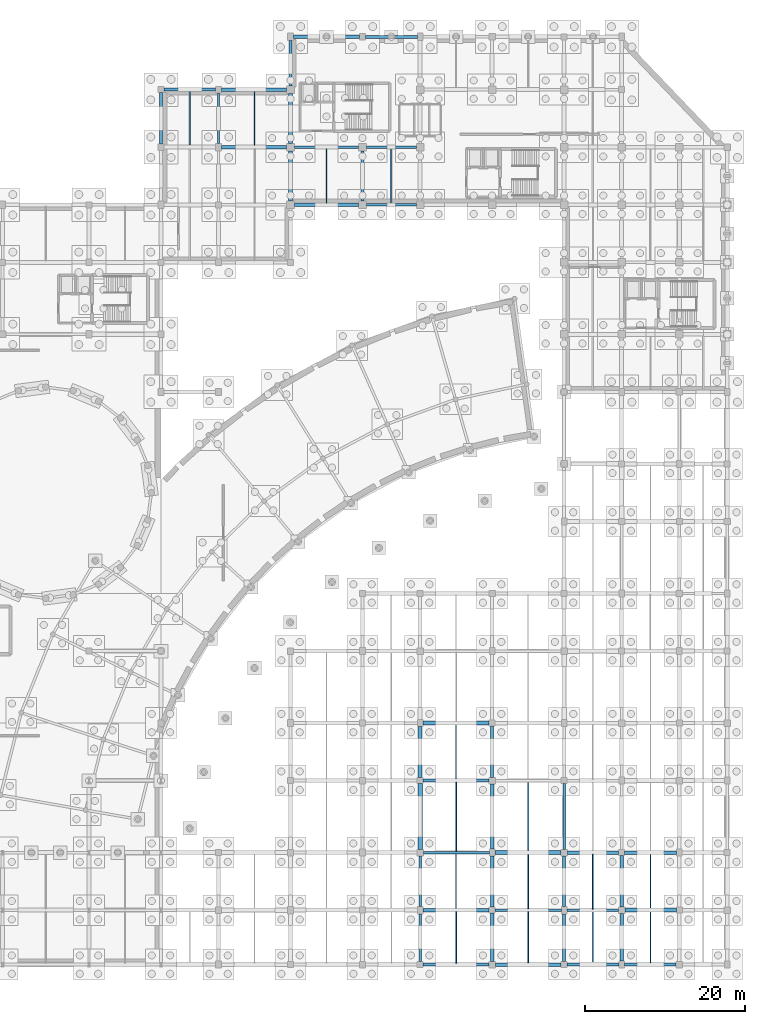
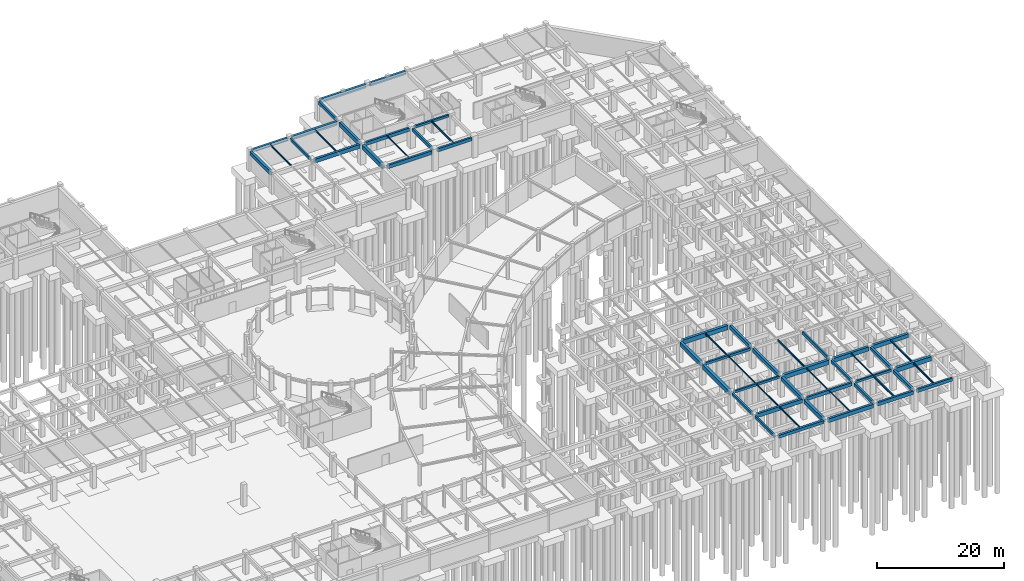
# One storey, part 24 of 42: 57 beams.
"""IFC4 building model written with IfcOpenShell, lengths in metres."""

from ifc_helpers import new_model, si_unit, direction, frame, origin, origin_2d, place, context, subcontext, project, spatial, rectangle, i_section, extrude, material, material_profile, profile_set, type_object, element, save


model = new_model("IFC4")

# Units and contexts
model_context = context("Model", 3, precision=1e-05, world=origin(), true_north=direction((0.0, 1.0)))
body_context = subcontext(model_context, "Body", "Model", "MODEL_VIEW")
ifc_project = project(units=[si_unit("LENGTHUNIT", "METRE"), si_unit("AREAUNIT", "SQUARE_METRE"), si_unit("VOLUMEUNIT", "CUBIC_METRE"), si_unit("PLANEANGLEUNIT", "RADIAN"), si_unit("MASSUNIT", "GRAM", prefix="KILO")], contexts=[model_context])

# Site, building, storey
site_placement = place(None, origin())
site = spatial("IfcSite", under=ifc_project, at=site_placement, CompositionType="ELEMENT")
building_placement = place(site_placement, origin())
building = spatial("IfcBuilding", under=site, at=building_placement, Name="Clarverna Civic Hall", CompositionType="ELEMENT")
storey_placement = place(building_placement, frame((0.0, 0.0, -4.199951171875)))
storey = spatial("IfcBuildingStorey", under=building, at=storey_placement, Name="B01", CompositionType="ELEMENT", Elevation=-4.199951171875)

# Beams
ifc_material_1 = material(Name="Concrete C35/45", Category="concrete")
ifc_material_profile_1 = material_profile(ifc_material_1, rectangle(XDim=0.5, YDim=0.85009765625, at=origin_2d()), Name="RC 500x850")
ifc_profile_set_1 = profile_set([ifc_material_profile_1], Name="Concrete C35/45")
beam_type_1 = type_object("IfcBeamType", Name="B-RC1", PredefinedType="BEAM", material=ifc_profile_set_1)
beam_1_placement = place(storey_placement, frame((155.199951171875, 6.800048828125, 3.52490234375), z_axis=(1.0, 0.0, 0.0), x_axis=(0.0, 1.0, 0.0)))
element("IfcBeam", 1, at=beam_1_placement, inside=storey, type_object=beam_type_1, Name="B-RC1-001", PredefinedType="BEAM", context=body_context, shape_type="SweptSolid", body=[
    extrude(rectangle(XDim=0.5, YDim=0.85009765625, at=origin_2d()), origin(), (0.0, 0.0, 1.0), 6.425048828125),
])
beam_2_placement = place(storey_placement, frame((138.949951171875, 14.0, 3.52490234375), z_axis=(1.0, 0.0, 0.0), x_axis=(0.0, 1.0, 0.0)))
element("IfcBeam", 2, at=beam_2_placement, inside=storey, type_object=beam_type_1, Name="B-RC1-002", PredefinedType="BEAM", context=body_context, shape_type="SweptSolid", body=[
    extrude(rectangle(XDim=0.5, YDim=0.85009765625, at=origin_2d()), origin(), (0.0, 0.0, 1.0), 8.25),
])
beam_3_placement = place(storey_placement, frame((129.949951171875, 30.199951171875, 3.52490234375), z_axis=(1.0, 0.0, 0.0), x_axis=(0.0, 1.0, 0.0)))
element("IfcBeam", 3, at=beam_3_placement, inside=storey, type_object=beam_type_1, Name="B-RC1-003", PredefinedType="BEAM", context=body_context, shape_type="SweptSolid", body=[
    extrude(rectangle(XDim=0.5, YDim=0.85009765625, at=origin_2d()), origin(), (0.0, 0.0, 1.0), 8.275146484375),
])
beam_4_placement = place(storey_placement, frame((113.39990234375, 95.47509765625, 3.4150390625), z_axis=(0.0, 1.0, 0.0), x_axis=(-1.0, 0.0, 0.0)))
element("IfcBeam", 4, at=beam_4_placement, inside=storey, type_object=beam_type_1, Name="B-RC1-010", PredefinedType="BEAM", context=body_context, shape_type="SweptSolid", body=[
    extrude(rectangle(XDim=0.5, YDim=0.85009765625, at=origin_2d()), origin(), (0.0, 0.0, 1.0), 6.25),
])
ifc_material_profile_2 = material_profile(ifc_material_1, rectangle(XDim=0.35009765625, YDim=0.5, at=origin_2d()), Name="RC 350x500")
ifc_profile_set_2 = profile_set([ifc_material_profile_2], Name="Concrete C35/45")
beam_type_2 = type_object("IfcBeamType", Name="B-RC10", PredefinedType="BEAM", material=ifc_profile_set_2)
beam_5_placement = place(storey_placement, frame((129.97509765625, 23.0, 3.699951171875), z_axis=(1.0, 0.0, 0.0), x_axis=(0.0, 1.0, 0.0)))
element("IfcBeam", 5, at=beam_5_placement, inside=storey, type_object=beam_type_2, Name="B-RC10-003", PredefinedType="BEAM", context=body_context, shape_type="SweptSolid", body=[
    extrude(rectangle(XDim=0.35009765625, YDim=0.5, at=origin_2d()), origin(), (0.0, 0.0, 1.0), 8.224853515625),
])
beam_6_placement = place(storey_placement, frame((122.39990234375, 95.47509765625, 3.58984375), z_axis=(0.0, 1.0, 0.0), x_axis=(-1.0, 0.0, 0.0)))
element("IfcBeam", 6, at=beam_6_placement, inside=storey, type_object=beam_type_2, Name="B-RC10-014", PredefinedType="BEAM", context=body_context, shape_type="SweptSolid", body=[
    extrude(rectangle(XDim=0.35009765625, YDim=0.5, at=origin_2d()), origin(), (0.0, 0.0, 1.0), 6.25),
])
beam_7_placement = place(storey_placement, frame((147.60009765625, 7.25, 3.699951171875), z_axis=(0.0, 1.0, 0.0), x_axis=(-1.0, 0.0, 0.0)))
element("IfcBeam", 7, at=beam_7_placement, inside=storey, type_object=beam_type_2, Name="B-RC10-015", PredefinedType="BEAM", context=body_context, shape_type="SweptSolid", body=[
    extrude(rectangle(XDim=0.35009765625, YDim=0.5, at=origin_2d()), origin(), (0.0, 0.0, 1.0), 6.35009765625),
])
ifc_material_profile_3 = material_profile(ifc_material_1, rectangle(XDim=0.300048828125, YDim=0.550048828125, at=origin_2d()), Name="RC 300x550")
ifc_profile_set_3 = profile_set([ifc_material_profile_3], Name="Concrete C35/45")
beam_type_3 = type_object("IfcBeamType", Name="B-RC11", PredefinedType="BEAM", material=ifc_profile_set_3)
beam_8_placement = place(storey_placement, frame((129.60009765625, 0.375, 3.675048828125), z_axis=(0.0, 1.0, 0.0), x_axis=(-1.0, 0.0, 0.0)))
element("IfcBeam", 8, at=beam_8_placement, inside=storey, type_object=beam_type_3, Name="B-RC11-014", PredefinedType="BEAM", context=body_context, shape_type="SweptSolid", body=[
    extrude(rectangle(XDim=0.300048828125, YDim=0.550048828125, at=origin_2d()), origin(), (0.0, 0.0, 1.0), 5.97509765625),
])
beam_9_placement = place(storey_placement, frame((147.60009765625, 14.39990234375, 3.675048828125), z_axis=(0.0, 1.0, 0.0), x_axis=(-1.0, 0.0, 0.0)))
element("IfcBeam", 9, at=beam_9_placement, inside=storey, type_object=beam_type_3, Name="B-RC11-015", PredefinedType="BEAM", context=body_context, shape_type="SweptSolid", body=[
    extrude(rectangle(XDim=0.300048828125, YDim=0.550048828125, at=origin_2d()), origin(), (0.0, 0.0, 1.0), 8.22509765625),
])
ifc_material_profile_4 = material_profile(ifc_material_1, rectangle(XDim=0.300048828125, YDim=0.5, at=origin_2d()), Name="RC 300x500")
ifc_profile_set_4 = profile_set([ifc_material_profile_4], Name="Concrete C35/45")
beam_type_4 = type_object("IfcBeamType", Name="B-RC12", PredefinedType="BEAM", material=ifc_profile_set_4)
for number, where, z_axis, x_axis, name in (
    (10, (104.39990234375, 102.64990234375, 3.58984375), (0.0, 1.0, 0.0), (-1.0, 0.0, 0.0), "B-RC12-014"),
    (11, (129.60009765625, 7.25, 3.699951171875), (0.0, 1.0, 0.0), (-1.0, 0.0, 0.0), "B-RC12-015"),
):
    element("IfcBeam", number, at=place(storey_placement, frame(where, z_axis=z_axis, x_axis=x_axis)), inside=storey, type_object=beam_type_4, Name=name, PredefinedType="BEAM", context=body_context, shape_type="SweptSolid", body=[
        extrude(rectangle(XDim=0.300048828125, YDim=0.5, at=origin_2d()), origin(), (0.0, 0.0, 1.0), 6.35009765625),
    ])
ifc_material_profile_5 = material_profile(ifc_material_1, rectangle(XDim=0.550048828125, YDim=0.89990234375, at=origin_2d()), Name="RC 550x900")
ifc_profile_set_5 = profile_set([ifc_material_profile_5], Name="Concrete C35/45")
beam_type_5 = type_object("IfcBeamType", Name="B-RC13", PredefinedType="BEAM", material=ifc_profile_set_5)
beam_10_placement = place(storey_placement, frame((129.60009765625, 14.39990234375, 3.5), z_axis=(0.0, 1.0, 0.0), x_axis=(-1.0, 0.0, 0.0)))
element("IfcBeam", 12, at=beam_10_placement, inside=storey, type_object=beam_type_5, Name="B-RC13-013", PredefinedType="BEAM", context=body_context, shape_type="SweptSolid", body=[
    extrude(rectangle(XDim=0.550048828125, YDim=0.89990234375, at=origin_2d()), origin(), (0.0, 0.0, 1.0), 8.22509765625),
])
ifc_material_profile_6 = material_profile(ifc_material_1, rectangle(XDim=0.5, YDim=0.800048828125, at=origin_2d()), Name="RC 500x800")
ifc_profile_set_6 = profile_set([ifc_material_profile_6], Name="Concrete C35/45")
beam_type_6 = type_object("IfcBeamType", Name="B-RC14", PredefinedType="BEAM", material=ifc_profile_set_6)
beam_11_placement = place(storey_placement, frame((129.60009765625, 23.375, 3.550048828125), z_axis=(0.0, 1.0, 0.0), x_axis=(-1.0, 0.0, 0.0)))
element("IfcBeam", 13, at=beam_11_placement, inside=storey, type_object=beam_type_6, Name="B-RC14-014", PredefinedType="BEAM", context=body_context, shape_type="SweptSolid", body=[
    extrude(rectangle(XDim=0.5, YDim=0.800048828125, at=origin_2d()), origin(), (0.0, 0.0, 1.0), 6.375),
])
ifc_material_profile_7 = material_profile(ifc_material_1, rectangle(XDim=0.39990234375, YDim=0.75, at=origin_2d()), Name="RC 400x750")
ifc_profile_set_7 = profile_set([ifc_material_profile_7], Name="Concrete C35/45")
beam_type_7 = type_object("IfcBeamType", Name="B-RC16", PredefinedType="BEAM", material=ifc_profile_set_7)
beam_12_placement = place(storey_placement, frame((129.949951171875, 6.800048828125, 3.574951171875), z_axis=(1.0, 0.0, 0.0), x_axis=(0.0, 1.0, 0.0)))
element("IfcBeam", 14, at=beam_12_placement, inside=storey, type_object=beam_type_7, Name="B-RC16-001", PredefinedType="BEAM", context=body_context, shape_type="SweptSolid", body=[
    extrude(rectangle(XDim=0.39990234375, YDim=0.75, at=origin_2d()), origin(), (0.0, 0.0, 1.0), 8.275146484375),
])
beam_13_placement = place(storey_placement, frame((104.75, 102.199951171875, 3.46484375), z_axis=(1.0, 0.0, 0.0), x_axis=(0.0, 1.0, 0.0)))
element("IfcBeam", 15, at=beam_13_placement, inside=storey, type_object=beam_type_7, Name="B-RC16-009", PredefinedType="BEAM", context=body_context, shape_type="SweptSolid", body=[
    extrude(rectangle(XDim=0.39990234375, YDim=0.75, at=origin_2d()), origin(), (0.0, 0.0, 1.0), 8.175048828125),
])
ifc_material_profile_8 = material_profile(ifc_material_1, rectangle(XDim=0.35009765625, YDim=0.64990234375, at=origin_2d()), Name="RC 350x650")
ifc_profile_set_8 = profile_set([ifc_material_profile_8], Name="Concrete C35/45")
beam_type_8 = type_object("IfcBeamType", Name="B-RC17", PredefinedType="BEAM", material=ifc_profile_set_8)
beam_14_placement = place(storey_placement, frame((138.97509765625, 6.800048828125, 3.625), z_axis=(1.0, 0.0, 0.0), x_axis=(0.0, 1.0, 0.0)))
element("IfcBeam", 16, at=beam_14_placement, inside=storey, type_object=beam_type_8, Name="B-RC17-001", PredefinedType="BEAM", context=body_context, shape_type="SweptSolid", body=[
    extrude(rectangle(XDim=0.35009765625, YDim=0.64990234375, at=origin_2d()), origin(), (0.0, 0.0, 1.0), 8.27490234375),
])
beam_15_placement = place(storey_placement, frame((113.875, 102.199951171875, 3.514892578125), z_axis=(1.0, 0.0, 0.0), x_axis=(0.0, 1.0, 0.0)))
element("IfcBeam", 17, at=beam_15_placement, inside=storey, type_object=beam_type_8, Name="B-RC17-009", PredefinedType="BEAM", context=body_context, shape_type="SweptSolid", body=[
    extrude(rectangle(XDim=0.35009765625, YDim=0.64990234375, at=origin_2d()), origin(), (0.0, 0.0, 1.0), 8.050048828125),
])
ifc_material_profile_9 = material_profile(ifc_material_1, rectangle(XDim=0.300048828125, YDim=0.449951171875, at=origin_2d()), Name="RC 300x450")
ifc_profile_set_9 = profile_set([ifc_material_profile_9], Name="Concrete C35/45")
beam_type_9 = type_object("IfcBeamType", Name="B-RC18", PredefinedType="BEAM", material=ifc_profile_set_9)
beam_16_placement = place(storey_placement, frame((147.949951171875, 6.800048828125, 3.724853515625), z_axis=(1.0, 0.0, 0.0), x_axis=(0.0, 1.0, 0.0)))
element("IfcBeam", 18, at=beam_16_placement, inside=storey, type_object=beam_type_9, Name="B-RC18-001", PredefinedType="BEAM", context=body_context, shape_type="SweptSolid", body=[
    extrude(rectangle(XDim=0.300048828125, YDim=0.449951171875, at=origin_2d()), origin(), (0.0, 0.0, 1.0), 6.449951171875),
])
beam_17_placement = place(storey_placement, frame((130.0, 14.0, 3.724853515625), z_axis=(1.0, 0.0, 0.0), x_axis=(0.0, 1.0, 0.0)))
element("IfcBeam", 19, at=beam_17_placement, inside=storey, type_object=beam_type_9, Name="B-RC18-002", PredefinedType="BEAM", context=body_context, shape_type="SweptSolid", body=[
    extrude(rectangle(XDim=0.300048828125, YDim=0.449951171875, at=origin_2d()), origin(), (0.0, 0.0, 1.0), 8.25),
])
beam_18_placement = place(storey_placement, frame((122.875, 102.199951171875, 3.614990234375), z_axis=(1.0, 0.0, 0.0), x_axis=(0.0, 1.0, 0.0)))
element("IfcBeam", 20, at=beam_18_placement, inside=storey, type_object=beam_type_9, Name="B-RC18-007", PredefinedType="BEAM", context=body_context, shape_type="SweptSolid", body=[
    extrude(rectangle(XDim=0.300048828125, YDim=0.449951171875, at=origin_2d()), origin(), (0.0, 0.0, 1.0), 6.25),
])
ifc_material_profile_10 = material_profile(ifc_material_1, rectangle(XDim=0.449951171875, YDim=0.800048828125, at=origin_2d()), Name="RC 450x800")
ifc_profile_set_10 = profile_set([ifc_material_profile_10], Name="Concrete C35/45")
beam_type_10 = type_object("IfcBeamType", Name="B-RC2", PredefinedType="BEAM", material=ifc_profile_set_10)
beam_19_placement = place(storey_placement, frame((148.0, 14.0, 3.550048828125), z_axis=(1.0, 0.0, 0.0), x_axis=(0.0, 1.0, 0.0)))
element("IfcBeam", 21, at=beam_19_placement, inside=storey, type_object=beam_type_10, Name="B-RC2-002", PredefinedType="BEAM", context=body_context, shape_type="SweptSolid", body=[
    extrude(rectangle(XDim=0.449951171875, YDim=0.800048828125, at=origin_2d()), origin(), (0.0, 0.0, 1.0), 6.425048828125),
])
beam_20_placement = place(storey_placement, frame((113.39990234375, 102.675048828125, 3.43994140625), z_axis=(0.0, 1.0, 0.0), x_axis=(-1.0, 0.0, 0.0)))
element("IfcBeam", 22, at=beam_20_placement, inside=storey, type_object=beam_type_10, Name="B-RC2-010", PredefinedType="BEAM", context=body_context, shape_type="SweptSolid", body=[
    extrude(rectangle(XDim=0.449951171875, YDim=0.800048828125, at=origin_2d()), origin(), (0.0, 0.0, 1.0), 6.25),
])
beam_21_placement = place(storey_placement, frame((138.60009765625, 0.39990234375, 3.550048828125), z_axis=(0.0, 1.0, 0.0), x_axis=(-1.0, 0.0, 0.0)))
element("IfcBeam", 23, at=beam_21_placement, inside=storey, type_object=beam_type_10, Name="B-RC2-011", PredefinedType="BEAM", context=body_context, shape_type="SweptSolid", body=[
    extrude(rectangle(XDim=0.449951171875, YDim=0.800048828125, at=origin_2d()), origin(), (0.0, 0.0, 1.0), 6.025146484375),
])
ifc_material_profile_11 = material_profile(ifc_material_1, rectangle(XDim=0.449951171875, YDim=0.75, at=origin_2d()), Name="RC 450x750")
ifc_profile_set_11 = profile_set([ifc_material_profile_11], Name="Concrete C35/45")
beam_type_11 = type_object("IfcBeamType", Name="B-RC3", PredefinedType="BEAM", material=ifc_profile_set_11)
beam_22_placement = place(storey_placement, frame((155.175048828125, 14.0, 3.574951171875), z_axis=(1.0, 0.0, 0.0), x_axis=(0.0, 1.0, 0.0)))
element("IfcBeam", 24, at=beam_22_placement, inside=storey, type_object=beam_type_11, Name="B-RC3-003", PredefinedType="BEAM", context=body_context, shape_type="SweptSolid", body=[
    extrude(rectangle(XDim=0.449951171875, YDim=0.75, at=origin_2d()), origin(), (0.0, 0.0, 1.0), 6.474853515625),
])
beam_23_placement = place(storey_placement, frame((138.60009765625, 7.175048828125, 3.574951171875), z_axis=(0.0, 1.0, 0.0), x_axis=(-1.0, 0.0, 0.0)))
element("IfcBeam", 25, at=beam_23_placement, inside=storey, type_object=beam_type_11, Name="B-RC3-011", PredefinedType="BEAM", context=body_context, shape_type="SweptSolid", body=[
    extrude(rectangle(XDim=0.449951171875, YDim=0.75, at=origin_2d()), origin(), (0.0, 0.0, 1.0), 6.375),
])
ifc_material_profile_12 = material_profile(ifc_material_1, rectangle(XDim=0.449951171875, YDim=0.699951171875, at=origin_2d()), Name="RC 450x700")
ifc_profile_set_12 = profile_set([ifc_material_profile_12], Name="Concrete C35/45")
beam_type_12 = type_object("IfcBeamType", Name="B-RC4", PredefinedType="BEAM", material=ifc_profile_set_12)
beam_24_placement = place(storey_placement, frame((138.60009765625, 14.449951171875, 3.599853515625), z_axis=(0.0, 1.0, 0.0), x_axis=(-1.0, 0.0, 0.0)))
element("IfcBeam", 26, at=beam_24_placement, inside=storey, type_object=beam_type_12, Name="B-RC4-014", PredefinedType="BEAM", context=body_context, shape_type="SweptSolid", body=[
    extrude(rectangle(XDim=0.449951171875, YDim=0.699951171875, at=origin_2d()), origin(), (0.0, 0.0, 1.0), 8.150146484375),
])
ifc_material_profile_13 = material_profile(ifc_material_1, rectangle(XDim=0.39990234375, YDim=0.699951171875, at=origin_2d()), Name="RC 400x700")
ifc_profile_set_13 = profile_set([ifc_material_profile_13], Name="Concrete C35/45")
beam_type_13 = type_object("IfcBeamType", Name="B-RC5", PredefinedType="BEAM", material=ifc_profile_set_13)
beam_25_placement = place(storey_placement, frame((138.60009765625, 23.39990234375, 3.599853515625), z_axis=(0.0, 1.0, 0.0), x_axis=(-1.0, 0.0, 0.0)))
element("IfcBeam", 27, at=beam_25_placement, inside=storey, type_object=beam_type_13, Name="B-RC5-015", PredefinedType="BEAM", context=body_context, shape_type="SweptSolid", body=[
    extrude(rectangle(XDim=0.39990234375, YDim=0.699951171875, at=origin_2d()), origin(), (0.0, 0.0, 1.0), 6.425048828125),
])
ifc_material_profile_14 = material_profile(ifc_material_1, rectangle(XDim=0.39990234375, YDim=0.64990234375, at=origin_2d()), Name="RC 400x650")
ifc_profile_set_14 = profile_set([ifc_material_profile_14], Name="Concrete C35/45")
beam_type_14 = type_object("IfcBeamType", Name="B-RC6", PredefinedType="BEAM", material=ifc_profile_set_14)
beam_26_placement = place(storey_placement, frame((154.800048828125, 0.449951171875, 3.625), z_axis=(0.0, 1.0, 0.0), x_axis=(-1.0, 0.0, 0.0)))
element("IfcBeam", 28, at=beam_26_placement, inside=storey, type_object=beam_type_14, Name="B-RC6-014", PredefinedType="BEAM", context=body_context, shape_type="SweptSolid", body=[
    extrude(rectangle(XDim=0.39990234375, YDim=0.64990234375, at=origin_2d()), origin(), (0.0, 0.0, 1.0), 5.949951171875),
])
ifc_material_profile_15 = material_profile(ifc_material_1, rectangle(XDim=0.39990234375, YDim=0.60009765625, at=origin_2d()), Name="RC 400x600")
ifc_profile_set_15 = profile_set([ifc_material_profile_15], Name="Concrete C35/45")
beam_type_15 = type_object("IfcBeamType", Name="B-RC7", PredefinedType="BEAM", material=ifc_profile_set_15)
beam_27_placement = place(storey_placement, frame((154.800048828125, 7.199951171875, 3.64990234375), z_axis=(0.0, 1.0, 0.0), x_axis=(-1.0, 0.0, 0.0)))
element("IfcBeam", 29, at=beam_27_placement, inside=storey, type_object=beam_type_15, Name="B-RC7-015", PredefinedType="BEAM", context=body_context, shape_type="SweptSolid", body=[
    extrude(rectangle(XDim=0.39990234375, YDim=0.60009765625, at=origin_2d()), origin(), (0.0, 0.0, 1.0), 6.425048828125),
])
ifc_material_profile_16 = material_profile(ifc_material_1, rectangle(XDim=0.35009765625, YDim=0.550048828125, at=origin_2d()), Name="RC 350x550")
ifc_profile_set_16 = profile_set([ifc_material_profile_16], Name="Concrete C35/45")
beam_type_16 = type_object("IfcBeamType", Name="B-RC9", PredefinedType="BEAM", material=ifc_profile_set_16)
beam_28_placement = place(storey_placement, frame((147.60009765625, 0.375, 3.675048828125), z_axis=(0.0, 1.0, 0.0), x_axis=(-1.0, 0.0, 0.0)))
element("IfcBeam", 30, at=beam_28_placement, inside=storey, type_object=beam_type_16, Name="B-RC9-014", PredefinedType="BEAM", context=body_context, shape_type="SweptSolid", body=[
    extrude(rectangle(XDim=0.35009765625, YDim=0.550048828125, at=origin_2d()), origin(), (0.0, 0.0, 1.0), 5.97509765625),
])
ifc_material_profile_17 = material_profile(ifc_material_1, rectangle(XDim=0.419921875, YDim=0.719970703125, at=origin_2d()), Name="RC 420x720")
ifc_profile_set_17 = profile_set([ifc_material_profile_17], Name="Concrete C35/45")
beam_type_17 = type_object("IfcBeamType", Name="B-SP1", PredefinedType="SPANDREL", material=ifc_profile_set_17)
beam_29_placement = place(storey_placement, frame((139.0, 0.0, 3.58984375), z_axis=(1.0, 0.0, 0.0), x_axis=(0.0, 1.0, 0.0)))
element("IfcBeam", 31, at=beam_29_placement, inside=storey, type_object=beam_type_17, Name="B-SP1-005", PredefinedType="SPANDREL", context=body_context, shape_type="SweptSolid", body=[
    extrude(rectangle(XDim=0.419921875, YDim=0.719970703125, at=origin_2d()), origin(), (0.0, 0.0, 1.0), 8.22509765625),
])
beam_30_placement = place(storey_placement, frame((104.800048828125, 109.39990234375, 3.47998046875), z_axis=(1.0, 0.0, 0.0), x_axis=(0.0, 1.0, 0.0)))
element("IfcBeam", 32, at=beam_30_placement, inside=storey, type_object=beam_type_17, Name="B-SP1-012", PredefinedType="SPANDREL", context=body_context, shape_type="SweptSolid", body=[
    extrude(rectangle(XDim=0.419921875, YDim=0.719970703125, at=origin_2d()), origin(), (0.0, 0.0, 1.0), 8.125),
])
beam_31_placement = place(storey_placement, frame((113.75, 116.0, 3.47998046875), z_axis=(1.0, 0.0, 0.0), x_axis=(0.0, 1.0, 0.0)))
element("IfcBeam", 33, at=beam_31_placement, inside=storey, type_object=beam_type_17, Name="B-SP1-015", PredefinedType="SPANDREL", context=body_context, shape_type="SweptSolid", body=[
    extrude(rectangle(XDim=0.419921875, YDim=0.719970703125, at=origin_2d()), origin(), (0.0, 0.0, 1.0), 8.25),
])
beam_32_placement = place(storey_placement, frame((97.199951171875, 102.60009765625, 3.47998046875), z_axis=(0.0, 1.0, 0.0), x_axis=(-1.0, 0.0, 0.0)))
element("IfcBeam", 34, at=beam_32_placement, inside=storey, type_object=beam_type_17, Name="B-SP1-028", PredefinedType="SPANDREL", context=body_context, shape_type="SweptSolid", body=[
    extrude(rectangle(XDim=0.419921875, YDim=0.719970703125, at=origin_2d()), origin(), (0.0, 0.0, 1.0), 6.4248046875),
])
ifc_material_profile_18 = material_profile(ifc_material_1, rectangle(XDim=0.3798828125, YDim=0.679931640625, at=origin_2d()), Name="RC 380x680")
ifc_profile_set_18 = profile_set([ifc_material_profile_18], Name="Concrete C35/45")
beam_type_18 = type_object("IfcBeamType", Name="B-SP2", PredefinedType="SPANDREL", material=ifc_profile_set_18)
beam_33_placement = place(storey_placement, frame((147.97509765625, 0.0, 3.60986328125), z_axis=(1.0, 0.0, 0.0), x_axis=(0.0, 1.0, 0.0)))
element("IfcBeam", 35, at=beam_33_placement, inside=storey, type_object=beam_type_18, Name="B-SP2-005", PredefinedType="SPANDREL", context=body_context, shape_type="SweptSolid", body=[
    extrude(rectangle(XDim=0.3798828125, YDim=0.679931640625, at=origin_2d()), origin(), (0.0, 0.0, 1.0), 6.474853515625),
])
beam_34_placement = place(storey_placement, frame((113.875, 95.0, 3.5), z_axis=(1.0, 0.0, 0.0), x_axis=(0.0, 1.0, 0.0)))
element("IfcBeam", 36, at=beam_34_placement, inside=storey, type_object=beam_type_18, Name="B-SP2-011", PredefinedType="SPANDREL", context=body_context, shape_type="SweptSolid", body=[
    extrude(rectangle(XDim=0.3798828125, YDim=0.679931640625, at=origin_2d()), origin(), (0.0, 0.0, 1.0), 8.050048828125),
])
beam_35_placement = place(storey_placement, frame((122.800048828125, 116.0, 3.5), z_axis=(1.0, 0.0, 0.0), x_axis=(0.0, 1.0, 0.0)))
element("IfcBeam", 37, at=beam_35_placement, inside=storey, type_object=beam_type_18, Name="B-SP2-015", PredefinedType="SPANDREL", context=body_context, shape_type="SweptSolid", body=[
    extrude(rectangle(XDim=0.3798828125, YDim=0.679931640625, at=origin_2d()), origin(), (0.0, 0.0, 1.0), 6.449951171875),
])
ifc_material_profile_19 = material_profile(ifc_material_1, rectangle(XDim=0.360107421875, YDim=0.6201171875, at=origin_2d()), Name="RC 360x620")
ifc_profile_set_19 = profile_set([ifc_material_profile_19], Name="Concrete C35/45")
beam_type_19 = type_object("IfcBeamType", Name="B-SP3", PredefinedType="SPANDREL", material=ifc_profile_set_19)
beam_36_placement = place(storey_placement, frame((155.14990234375, 0.0, 3.639892578125), z_axis=(1.0, 0.0, 0.0), x_axis=(0.0, 1.0, 0.0)))
element("IfcBeam", 38, at=beam_36_placement, inside=storey, type_object=beam_type_19, Name="B-SP3-005", PredefinedType="SPANDREL", context=body_context, shape_type="SweptSolid", body=[
    extrude(rectangle(XDim=0.360107421875, YDim=0.6201171875, at=origin_2d()), origin(), (0.0, 0.0, 1.0), 6.4501953125),
])
beam_37_placement = place(storey_placement, frame((122.875, 95.0, 3.530029296875), z_axis=(1.0, 0.0, 0.0), x_axis=(0.0, 1.0, 0.0)))
element("IfcBeam", 39, at=beam_37_placement, inside=storey, type_object=beam_type_19, Name="B-SP3-010", PredefinedType="SPANDREL", context=body_context, shape_type="SweptSolid", body=[
    extrude(rectangle(XDim=0.360107421875, YDim=0.6201171875, at=origin_2d()), origin(), (0.0, 0.0, 1.0), 6.25),
])
beam_38_placement = place(storey_placement, frame((113.39990234375, 109.875, 3.530029296875), z_axis=(0.0, 1.0, 0.0), x_axis=(-1.0, 0.0, 0.0)))
element("IfcBeam", 40, at=beam_38_placement, inside=storey, type_object=beam_type_19, Name="B-SP3-028", PredefinedType="SPANDREL", context=body_context, shape_type="SweptSolid", body=[
    extrude(rectangle(XDim=0.360107421875, YDim=0.6201171875, at=origin_2d()), origin(), (0.0, 0.0, 1.0), 5.675048828125),
])
ifc_material_profile_20 = material_profile(ifc_material_1, rectangle(XDim=0.39990234375, YDim=0.56005859375, at=origin_2d()), Name="RC 400x560")
ifc_profile_set_20 = profile_set([ifc_material_profile_20], Name="Concrete C35/45")
beam_type_20 = type_object("IfcBeamType", Name="B-SP4", PredefinedType="SPANDREL", material=ifc_profile_set_20)
beam_39_placement = place(storey_placement, frame((129.97509765625, 0.0, 3.669921875), z_axis=(1.0, 0.0, 0.0), x_axis=(0.0, 1.0, 0.0)))
element("IfcBeam", 41, at=beam_39_placement, inside=storey, type_object=beam_type_20, Name="B-SP4-004", PredefinedType="SPANDREL", context=body_context, shape_type="SweptSolid", body=[
    extrude(rectangle(XDim=0.39990234375, YDim=0.56005859375, at=origin_2d()), origin(), (0.0, 0.0, 1.0), 8.224853515625),
])
beam_40_placement = place(storey_placement, frame((97.574951171875, 109.39990234375, 3.56005859375), z_axis=(1.0, 0.0, 0.0), x_axis=(0.0, 1.0, 0.0)))
element("IfcBeam", 42, at=beam_40_placement, inside=storey, type_object=beam_type_20, Name="B-SP4-012", PredefinedType="SPANDREL", context=body_context, shape_type="SweptSolid", body=[
    extrude(rectangle(XDim=0.39990234375, YDim=0.56005859375, at=origin_2d()), origin(), (0.0, 0.0, 1.0), 6.425048828125),
])
ifc_material_2 = material(Name="Steel S355", Category="steel")
ifc_material_profile_21 = material_profile(ifc_material_2, i_section(OverallWidth=0.169921875, OverallDepth=0.360107421875, WebThickness=0.008056640625, FlangeThickness=0.0126953125, FilletRadius=0.01806640625, at=origin_2d()), Name="IPE 360")
ifc_profile_set_21 = profile_set([ifc_material_profile_21], Name="Steel S355")
beam_type_21 = type_object("IfcBeamType", Name="J-ST1", PredefinedType="JOIST", material=ifc_profile_set_21)
beam_41_placement = place(storey_placement, frame((151.199951171875, 0.18994140625, 3.77001953125), z_axis=(0.0, 1.0, 0.0), x_axis=(-1.0, 0.0, 0.0)))
element("IfcBeam", 43, at=beam_41_placement, inside=storey, type_object=beam_type_21, Name="J-ST1-003", PredefinedType="JOIST", context=body_context, shape_type="SweptSolid", body=[
    extrude(i_section(OverallWidth=0.169921875, OverallDepth=0.360107421875, WebThickness=0.008056640625, FlangeThickness=0.0126953125, FilletRadius=0.01806640625, at=origin_2d()), origin(), (0.0, 0.0, 1.0), 6.4599609375),
])
beam_42_placement = place(storey_placement, frame((158.39990234375, 7.050048828125, 3.77001953125), z_axis=(0.0, 1.0, 0.0), x_axis=(-1.0, 0.0, 0.0)))
element("IfcBeam", 44, at=beam_42_placement, inside=storey, type_object=beam_type_21, Name="J-ST1-006", PredefinedType="JOIST", context=body_context, shape_type="SweptSolid", body=[
    extrude(i_section(OverallWidth=0.169921875, OverallDepth=0.360107421875, WebThickness=0.008056640625, FlangeThickness=0.0126953125, FilletRadius=0.01806640625, at=origin_2d()), origin(), (0.0, 0.0, 1.0), 6.724853515625),
])
beam_43_placement = place(storey_placement, frame((143.10009765625, 14.25, 3.77001953125), z_axis=(0.0, 1.0, 0.0), x_axis=(-1.0, 0.0, 0.0)))
element("IfcBeam", 45, at=beam_43_placement, inside=storey, type_object=beam_type_21, Name="J-ST1-007", PredefinedType="JOIST", context=body_context, shape_type="SweptSolid", body=[
    extrude(i_section(OverallWidth=0.169921875, OverallDepth=0.360107421875, WebThickness=0.008056640625, FlangeThickness=0.0126953125, FilletRadius=0.01806640625, at=origin_2d()), origin(), (0.0, 0.0, 1.0), 8.60009765625),
])
beam_44_placement = place(storey_placement, frame((126.0, 95.179931640625, 3.659912109375), z_axis=(0.0, 1.0, 0.0), x_axis=(-1.0, 0.0, 0.0)))
element("IfcBeam", 46, at=beam_44_placement, inside=storey, type_object=beam_type_21, Name="J-ST1-020", PredefinedType="JOIST", context=body_context, shape_type="SweptSolid", body=[
    extrude(i_section(OverallWidth=0.169921875, OverallDepth=0.360107421875, WebThickness=0.008056640625, FlangeThickness=0.0126953125, FilletRadius=0.01806640625, at=origin_2d()), origin(), (0.0, 0.0, 1.0), 6.8701171875),
])
ifc_material_profile_22 = material_profile(ifc_material_2, i_section(OverallWidth=0.159912109375, OverallDepth=0.330078125, WebThickness=0.007568359375, FlangeThickness=0.011474609375, FilletRadius=0.01806640625, at=origin_2d()), Name="IPE 330")
ifc_profile_set_22 = profile_set([ifc_material_profile_22], Name="Steel S355")
beam_type_22 = type_object("IfcBeamType", Name="J-ST2", PredefinedType="JOIST", material=ifc_profile_set_22)
beam_45_placement = place(storey_placement, frame((158.39990234375, 0.179931640625, 3.784912109375), z_axis=(0.0, 1.0, 0.0), x_axis=(-1.0, 0.0, 0.0)))
element("IfcBeam", 47, at=beam_45_placement, inside=storey, type_object=beam_type_22, Name="J-ST2-003", PredefinedType="JOIST", context=body_context, shape_type="SweptSolid", body=[
    extrude(i_section(OverallWidth=0.159912109375, OverallDepth=0.330078125, WebThickness=0.007568359375, FlangeThickness=0.011474609375, FilletRadius=0.01806640625, at=origin_2d()), origin(), (0.0, 0.0, 1.0), 6.3701171875),
])
ifc_material_profile_23 = material_profile(ifc_material_2, i_section(OverallWidth=0.14990234375, OverallDepth=0.300048828125, WebThickness=0.007080078125, FlangeThickness=0.0107421875, FilletRadius=0.014892578125, at=origin_2d()), Name="IPE 300")
ifc_profile_set_23 = profile_set([ifc_material_profile_23], Name="Steel S355")
beam_type_23 = type_object("IfcBeamType", Name="J-ST3", PredefinedType="JOIST", material=ifc_profile_set_23)
beam_46_placement = place(storey_placement, frame((134.10009765625, 23.175048828125, 3.800048828125), z_axis=(0.0, 1.0, 0.0), x_axis=(-1.0, 0.0, 0.0)))
element("IfcBeam", 48, at=beam_46_placement, inside=storey, type_object=beam_type_23, Name="J-ST3-007", PredefinedType="JOIST", context=body_context, shape_type="SweptSolid", body=[
    extrude(i_section(OverallWidth=0.14990234375, OverallDepth=0.300048828125, WebThickness=0.007080078125, FlangeThickness=0.0107421875, FilletRadius=0.014892578125, at=origin_2d()), origin(), (0.0, 0.0, 1.0), 6.77490234375),
])
beam_47_placement = place(storey_placement, frame((100.800048828125, 102.449951171875, 3.68994140625), z_axis=(0.0, 1.0, 0.0), x_axis=(-1.0, 0.0, 0.0)))
element("IfcBeam", 49, at=beam_47_placement, inside=storey, type_object=beam_type_23, Name="J-ST3-021", PredefinedType="JOIST", context=body_context, shape_type="SweptSolid", body=[
    extrude(i_section(OverallWidth=0.14990234375, OverallDepth=0.300048828125, WebThickness=0.007080078125, FlangeThickness=0.0107421875, FilletRadius=0.014892578125, at=origin_2d()), origin(), (0.0, 0.0, 1.0), 6.75),
])
ifc_material_profile_24 = material_profile(ifc_material_2, i_section(OverallWidth=0.135009765625, OverallDepth=0.27001953125, WebThickness=0.006591796875, FlangeThickness=0.01025390625, FilletRadius=0.014892578125, at=origin_2d()), Name="IPE 270")
ifc_profile_set_24 = profile_set([ifc_material_profile_24], Name="Steel S355")
beam_type_24 = type_object("IfcBeamType", Name="J-ST4", PredefinedType="JOIST", material=ifc_profile_set_24)
beam_48_placement = place(storey_placement, frame((134.10009765625, 7.0, 3.81494140625), z_axis=(0.0, 1.0, 0.0), x_axis=(-1.0, 0.0, 0.0)))
element("IfcBeam", 50, at=beam_48_placement, inside=storey, type_object=beam_type_24, Name="J-ST4-006", PredefinedType="JOIST", context=body_context, shape_type="SweptSolid", body=[
    extrude(i_section(OverallWidth=0.135009765625, OverallDepth=0.27001953125, WebThickness=0.006591796875, FlangeThickness=0.01025390625, FilletRadius=0.014892578125, at=origin_2d()), origin(), (0.0, 0.0, 1.0), 6.85009765625),
])
beam_49_placement = place(storey_placement, frame((108.89990234375, 102.39990234375, 3.704833984375), z_axis=(0.0, 1.0, 0.0), x_axis=(-1.0, 0.0, 0.0)))
element("IfcBeam", 51, at=beam_49_placement, inside=storey, type_object=beam_type_24, Name="J-ST4-023", PredefinedType="JOIST", context=body_context, shape_type="SweptSolid", body=[
    extrude(i_section(OverallWidth=0.135009765625, OverallDepth=0.27001953125, WebThickness=0.006591796875, FlangeThickness=0.01025390625, FilletRadius=0.014892578125, at=origin_2d()), origin(), (0.0, 0.0, 1.0), 6.7900390625),
])
ifc_material_profile_25 = material_profile(ifc_material_2, i_section(OverallWidth=0.1201171875, OverallDepth=0.239990234375, WebThickness=0.006103515625, FlangeThickness=0.009765625, FilletRadius=0.014892578125, at=origin_2d()), Name="IPE 240")
ifc_profile_set_25 = profile_set([ifc_material_profile_25], Name="Steel S355")
beam_type_25 = type_object("IfcBeamType", Name="J-ST5", PredefinedType="JOIST", material=ifc_profile_set_25)
beam_50_placement = place(storey_placement, frame((134.10009765625, 0.199951171875, 3.829833984375), z_axis=(0.0, 1.0, 0.0), x_axis=(-1.0, 0.0, 0.0)))
element("IfcBeam", 52, at=beam_50_placement, inside=storey, type_object=beam_type_25, Name="J-ST5-003", PredefinedType="JOIST", context=body_context, shape_type="SweptSolid", body=[
    extrude(i_section(OverallWidth=0.1201171875, OverallDepth=0.239990234375, WebThickness=0.006103515625, FlangeThickness=0.009765625, FilletRadius=0.014892578125, at=origin_2d()), origin(), (0.0, 0.0, 1.0), 6.400146484375),
])
beam_51_placement = place(storey_placement, frame((143.10009765625, 6.97509765625, 3.829833984375), z_axis=(0.0, 1.0, 0.0), x_axis=(-1.0, 0.0, 0.0)))
element("IfcBeam", 53, at=beam_51_placement, inside=storey, type_object=beam_type_25, Name="J-ST5-006", PredefinedType="JOIST", context=body_context, shape_type="SweptSolid", body=[
    extrude(i_section(OverallWidth=0.1201171875, OverallDepth=0.239990234375, WebThickness=0.006103515625, FlangeThickness=0.009765625, FilletRadius=0.014892578125, at=origin_2d()), origin(), (0.0, 0.0, 1.0), 6.77490234375),
])
ifc_material_profile_26 = material_profile(ifc_material_2, i_section(OverallWidth=0.110107421875, OverallDepth=0.219970703125, WebThickness=0.005859375, FlangeThickness=0.00927734375, FilletRadius=0.011962890625, at=origin_2d()), Name="IPE 220")
ifc_profile_set_26 = profile_set([ifc_material_profile_26], Name="Steel S355")
beam_type_26 = type_object("IfcBeamType", Name="J-ST6", PredefinedType="JOIST", material=ifc_profile_set_26)
beam_52_placement = place(storey_placement, frame((143.10009765625, 0.2099609375, 3.83984375), z_axis=(0.0, 1.0, 0.0), x_axis=(-1.0, 0.0, 0.0)))
element("IfcBeam", 54, at=beam_52_placement, inside=storey, type_object=beam_type_26, Name="J-ST6-003", PredefinedType="JOIST", context=body_context, shape_type="SweptSolid", body=[
    extrude(i_section(OverallWidth=0.110107421875, OverallDepth=0.219970703125, WebThickness=0.005859375, FlangeThickness=0.00927734375, FilletRadius=0.011962890625, at=origin_2d()), origin(), (0.0, 0.0, 1.0), 6.4150390625),
])
beam_53_placement = place(storey_placement, frame((151.199951171875, 6.949951171875, 3.83984375), z_axis=(0.0, 1.0, 0.0), x_axis=(-1.0, 0.0, 0.0)))
element("IfcBeam", 55, at=beam_53_placement, inside=storey, type_object=beam_type_26, Name="J-ST6-006", PredefinedType="JOIST", context=body_context, shape_type="SweptSolid", body=[
    extrude(i_section(OverallWidth=0.110107421875, OverallDepth=0.219970703125, WebThickness=0.005859375, FlangeThickness=0.00927734375, FilletRadius=0.011962890625, at=origin_2d()), origin(), (0.0, 0.0, 1.0), 6.824951171875),
])
beam_54_placement = place(storey_placement, frame((134.10009765625, 14.14990234375, 3.83984375), z_axis=(0.0, 1.0, 0.0), x_axis=(-1.0, 0.0, 0.0)))
element("IfcBeam", 56, at=beam_54_placement, inside=storey, type_object=beam_type_26, Name="J-ST6-007", PredefinedType="JOIST", context=body_context, shape_type="SweptSolid", body=[
    extrude(i_section(OverallWidth=0.110107421875, OverallDepth=0.219970703125, WebThickness=0.005859375, FlangeThickness=0.00927734375, FilletRadius=0.011962890625, at=origin_2d()), origin(), (0.0, 0.0, 1.0), 8.675048828125),
])
beam_55_placement = place(storey_placement, frame((117.89990234375, 95.18994140625, 3.72998046875), z_axis=(0.0, 1.0, 0.0), x_axis=(-1.0, 0.0, 0.0)))
element("IfcBeam", 57, at=beam_55_placement, inside=storey, type_object=beam_type_26, Name="J-ST6-020", PredefinedType="JOIST", context=body_context, shape_type="SweptSolid", body=[
    extrude(i_section(OverallWidth=0.110107421875, OverallDepth=0.219970703125, WebThickness=0.005859375, FlangeThickness=0.00927734375, FilletRadius=0.011962890625, at=origin_2d()), origin(), (0.0, 0.0, 1.0), 6.8349609375),
])

save(model, "model.ifc")
